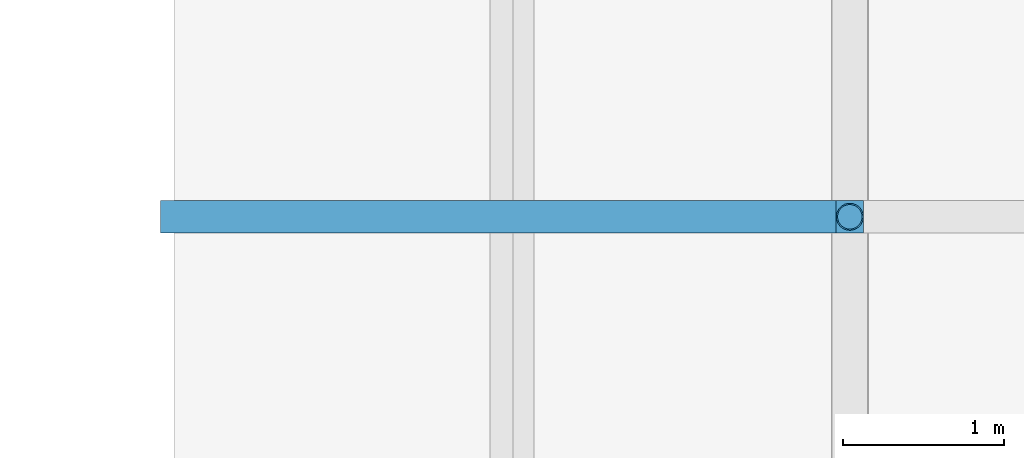
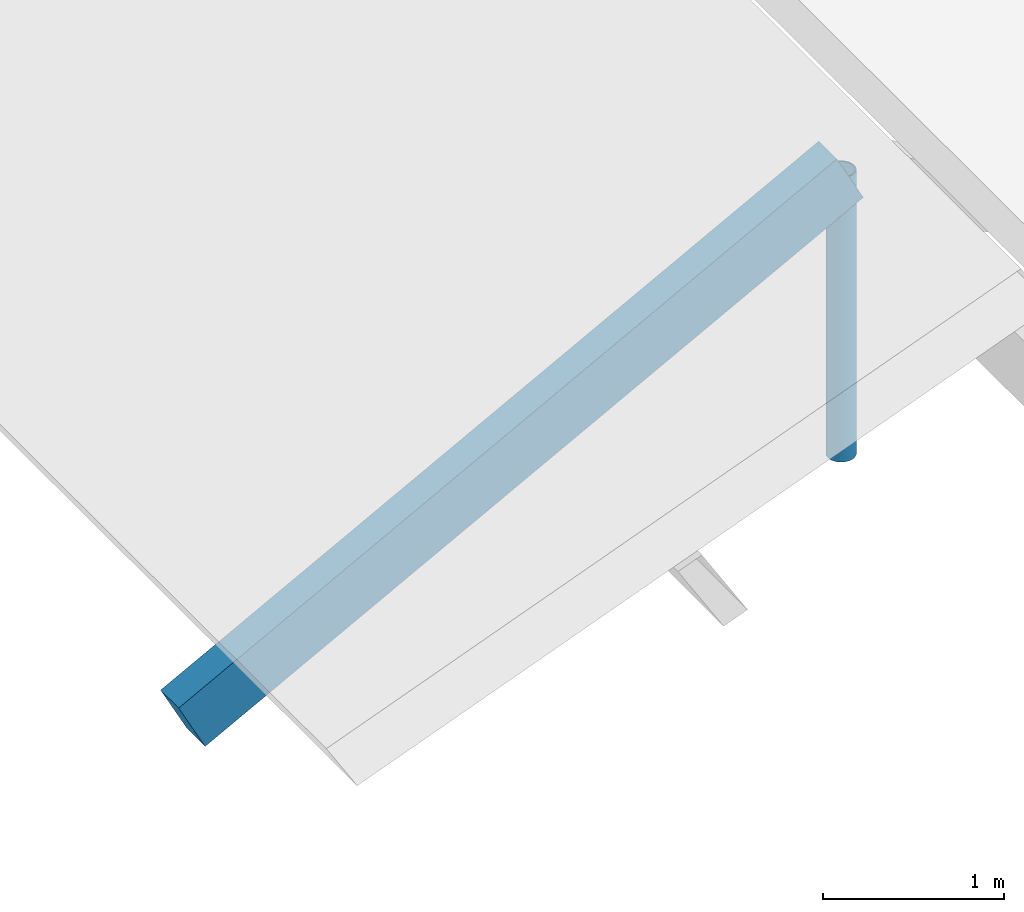
# One storey, part 46 of 82: 2 members.
"""IFC4 building model written with IfcOpenShell, lengths in metres."""

from ifc_helpers import new_model, si_unit, direction, frame, origin, origin_2d, place, context, subcontext, project, spatial, rectangle, hollow_circle, extrude, material, material_profile, profile_set, type_object, element, save


model = new_model("IFC4")

# Units and contexts
model_context = context("Model", 3, precision=1e-05, world=origin(), true_north=direction((0.0, 1.0)))
body_context = subcontext(model_context, "Body", "Model", "MODEL_VIEW")
ifc_project = project(units=[si_unit("LENGTHUNIT", "METRE"), si_unit("AREAUNIT", "SQUARE_METRE"), si_unit("VOLUMEUNIT", "CUBIC_METRE"), si_unit("PLANEANGLEUNIT", "RADIAN"), si_unit("MASSUNIT", "GRAM", prefix="KILO")], contexts=[model_context])

# Site, building, storey
site_placement = place(None, origin())
site = spatial("IfcSite", under=ifc_project, at=site_placement, CompositionType="ELEMENT")
building_placement = place(site_placement, origin())
building = spatial("IfcBuilding", under=site, at=building_placement, Name="Bramfleet General Hospital", CompositionType="ELEMENT")
storey_placement = place(building_placement, frame((0.0, 0.0, 34.199951171875)))
storey = spatial("IfcBuildingStorey", under=building, at=storey_placement, Name="Roof", CompositionType="ELEMENT", Elevation=34.199951171875)

# Members
ifc_material_1 = material(Name="Structural timber GL28h", Category="wood")
ifc_material_profile_1 = material_profile(ifc_material_1, rectangle(XDim=0.199951171875, YDim=0.360107421875, at=origin_2d()), Name="GL28h 360x200")
ifc_profile_set_1 = profile_set([ifc_material_profile_1], Name="Structural timber GL28h")
member_type_1 = type_object("IfcMemberType", Name="MEM-RF-GL360", PredefinedType="RAFTER", material=ifc_profile_set_1)
member_1_placement = place(storey_placement, frame((67.199951171875, 100.800048828125, -0.75634765625), z_axis=(0.882947536541, 0.0, 0.469471668705), x_axis=(0.0, 1.0, 0.0)))
element("IfcMember", 1, at=member_1_placement, inside=storey, type_object=member_type_1, Name="Patient House PH-01 West Glulam Rafter 1", PredefinedType="RAFTER", context=body_context, shape_type="SweptSolid", body=[
    extrude(rectangle(XDim=0.199951171875, YDim=0.360107421875, at=origin_2d()), origin(), (0.0, 0.0, 1.0), 4.7568359375),
])
ifc_material_2 = material(Name="Steel S355", Category="steel")
ifc_material_profile_2 = material_profile(ifc_material_2, hollow_circle(Radius=0.084228515625, WallThickness=0.008056640625, at=origin_2d()), Name="CHS 168.3x8.0")
ifc_profile_set_2 = profile_set([ifc_material_profile_2], Name="Steel S355")
member_type_2 = type_object("IfcMemberType", Name="MEM-SF-DG1", PredefinedType="STRUT", material=ifc_profile_set_2)
member_2_placement = place(storey_placement, frame((71.39990234375, 100.800048828125, -0.43994140625), z_axis=(0.0, 0.0, 1.0), x_axis=(1.0, 0.0, 0.0)))
element("IfcMember", 2, at=member_2_placement, inside=storey, type_object=member_type_2, Name="Patient House PH-01 Ridge Timber Post 1", PredefinedType="STRUT", context=body_context, shape_type="SweptSolid", body=[
    extrude(hollow_circle(Radius=0.084228515625, WallThickness=0.008056640625, at=origin_2d()), origin(), (0.0, 0.0, 1.0), 1.916748046875),
])

save(model, "model.ifc")
